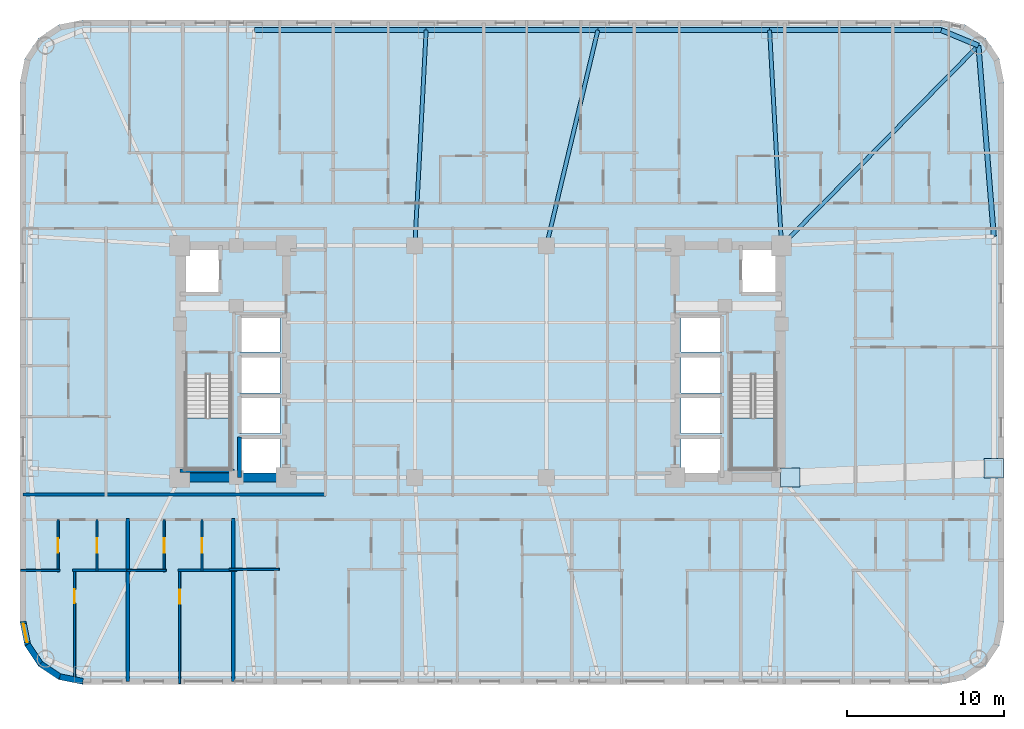
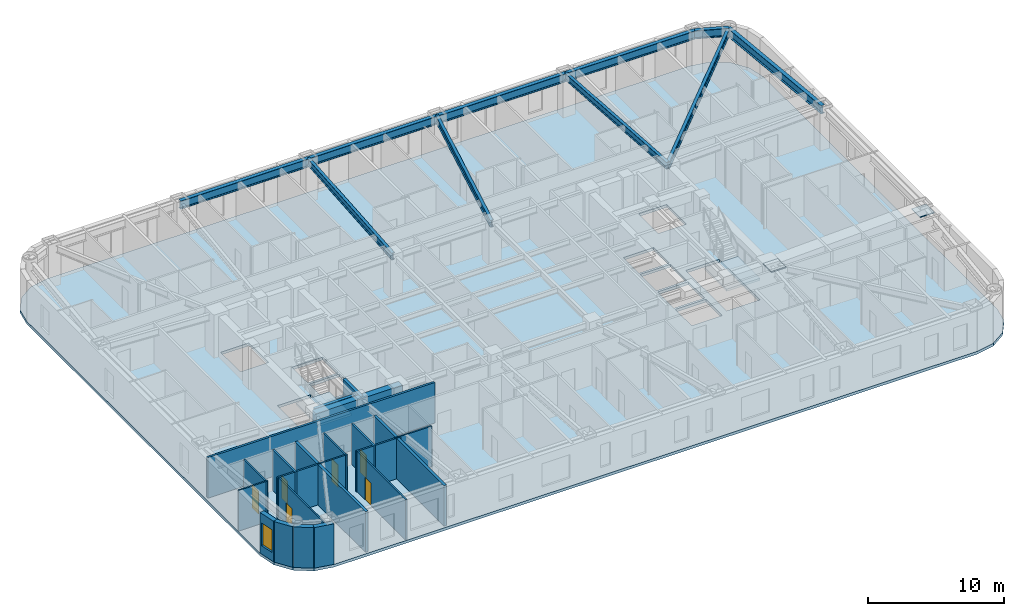
# One storey, part 2 of 11: 21 walls, 10 beams, 6 doors, 3 slabs, 2 plates, 1 window, 7 openings, 2 elements without a shape of their own.
"""IFC4 building model written with IfcOpenShell, lengths in metres."""

from ifc_helpers import new_model, si_unit, direction, frame, frame_2d, origin, origin_2d, place, context, subcontext, project, spatial, polyline, rectangle, i_section, outline, extrude, material, layer, layer_set, material_profile, profile_set, type_object, element, fill, aggregate, save


model = new_model("IFC4")

# Units and contexts
model_context = context("Model", 3, precision=1e-05, world=origin(), true_north=direction((0.0, 1.0)))
body_context = subcontext(model_context, "Body", "Model", "MODEL_VIEW")
ifc_project = project(units=[si_unit("LENGTHUNIT", "METRE"), si_unit("AREAUNIT", "SQUARE_METRE"), si_unit("VOLUMEUNIT", "CUBIC_METRE"), si_unit("PLANEANGLEUNIT", "RADIAN"), si_unit("MASSUNIT", "GRAM", prefix="KILO")], contexts=[model_context])

# Site, building, storey
site_placement = place(None, origin())
site = spatial("IfcSite", under=ifc_project, at=site_placement, CompositionType="ELEMENT")
building_placement = place(site_placement, origin())
building = spatial("IfcBuilding", under=site, at=building_placement, Name="Voryun Gate Residences", CompositionType="ELEMENT")
storey_placement = place(building_placement, frame((0.0, 0.0, 105.300048828125)))
storey = spatial("IfcBuildingStorey", under=building, at=storey_placement, Name="L25", CompositionType="ELEMENT", Elevation=105.300048828125)

# Beams
ifc_material_1 = material(Name="Steel SM355", Category="steel")
ifc_material_profile_1 = material_profile(ifc_material_1, i_section(OverallWidth=0.320068359375, OverallDepth=0.75, WebThickness=0.01611328125, FlangeThickness=0.028076171875, FilletRadius=0.01806640625, at=origin_2d()), Name="H-750x320x16x28")
ifc_profile_set_1 = profile_set([ifc_material_profile_1], Name="Steel SM355")
beam_type_1 = type_object("IfcBeamType", Name="BM_EXO_SPANDREL_L", PredefinedType="SPANDREL", material=ifc_profile_set_1)
beam_1_placement = place(storey_placement, frame((32.75, 7.998046875, 3.27490234375), z_axis=(-0.080359517973, 0.996765944378, 0.0), x_axis=(-0.996765944378, -0.080359517973, 0.0)))
element("IfcBeam", 1, at=beam_1_placement, inside=storey, type_object=beam_type_1, Name="BM-L25-SPAND-09", PredefinedType="SPANDREL", context=body_context, shape_type="SweptSolid", body=[
    extrude(i_section(OverallWidth=0.320068359375, OverallDepth=0.75, WebThickness=0.01611328125, FlangeThickness=0.028076171875, FilletRadius=0.01806640625, at=origin_2d()), origin(), (0.0, 0.0, 1.0), 12.210205078125),
])
beam_2_placement = place(storey_placement, frame((31.768798828125, 20.168701171875, 3.27490234375), z_axis=(-0.923883376753, 0.382674151414, 0.0), x_axis=(-0.382674151414, -0.923883376753, 0.0)))
element("IfcBeam", 2, at=beam_2_placement, inside=storey, type_object=beam_type_1, Name="BM-L25-SPAND-10", PredefinedType="SPANDREL", context=body_context, shape_type="SweptSolid", body=[
    extrude(i_section(OverallWidth=0.320068359375, OverallDepth=0.75, WebThickness=0.01611328125, FlangeThickness=0.028076171875, FilletRadius=0.01806640625, at=origin_2d()), origin(), (0.0, 0.0, 1.0), 2.56396484375),
])
for number, where, z_axis, x_axis, name in (
    (3, (29.39990234375, 21.14990234375, 3.27490234375), (-1.0, 0.0, 0.0), (0.0, -1.0, 0.0), "BM-L25-SPAND-11"),
    (4, (18.43994140625, 21.14990234375, 3.27490234375), (-1.0, 0.0, 0.0), (0.0, -1.0, 0.0), "BM-L25-SPAND-12"),
    (5, (7.47998046875, 21.14990234375, 3.27490234375), (-1.0, 0.0, 0.0), (0.0, -1.0, 0.0), "BM-L25-SPAND-13"),
    (6, (-3.47998046875, 21.14990234375, 3.27490234375), (-1.0, 0.0, 0.0), (0.0, -1.0, 0.0), "BM-L25-SPAND-14"),
):
    element("IfcBeam", number, at=place(storey_placement, frame(where, z_axis=z_axis, x_axis=x_axis)), inside=storey, type_object=beam_type_1, Name=name, PredefinedType="SPANDREL", context=body_context, shape_type="SweptSolid", body=[
        extrude(i_section(OverallWidth=0.320068359375, OverallDepth=0.75, WebThickness=0.01611328125, FlangeThickness=0.028076171875, FilletRadius=0.01806640625, at=origin_2d()), origin(), (0.0, 0.0, 1.0), 10.9599609375),
    ])
ifc_material_2 = material(Name="Steel SM355", Category="steel")
ifc_material_profile_2 = material_profile(ifc_material_2, i_section(OverallWidth=0.25, OverallDepth=0.60009765625, WebThickness=0.011962890625, FlangeThickness=0.02197265625, FilletRadius=0.01806640625, at=origin_2d()), Name="H-600x250x12x22")
ifc_profile_set_2 = profile_set([ifc_material_profile_2], Name="Steel SM355")
beam_type_2 = type_object("IfcBeamType", Name="BM_GIRD_600", PredefinedType="USERDEFINED", material=ifc_profile_set_2)
beam_3_placement = place(storey_placement, frame((19.199951171875, 7.39990234375, 3.349853515625), z_axis=(0.701504829324, 0.712664699866, 0.0), x_axis=(-0.712664699866, 0.701504829324, 0.0)))
element("IfcBeam", 7, at=beam_3_placement, inside=storey, type_object=beam_type_2, Name="BM-L25-RAD-CNE", ObjectType="GIRDER", PredefinedType="USERDEFINED", context=body_context, shape_type="SweptSolid", body=[
    extrude(i_section(OverallWidth=0.25, OverallDepth=0.60009765625, WebThickness=0.011962890625, FlangeThickness=0.02197265625, FilletRadius=0.01806640625, at=origin_2d()), origin(), (0.0, 0.0, 1.0), 17.9169921875),
])
beam_4_placement = place(storey_placement, frame((19.199951171875, 7.39990234375, 3.349853515625), z_axis=(-0.055189196078, 0.9984759149, 0.0), x_axis=(-0.9984759149, -0.055189196078, 0.0)))
element("IfcBeam", 8, at=beam_4_placement, inside=storey, type_object=beam_type_2, Name="BM-L25-RAD-N2", ObjectType="GIRDER", PredefinedType="USERDEFINED", context=body_context, shape_type="SweptSolid", body=[
    extrude(i_section(OverallWidth=0.25, OverallDepth=0.60009765625, WebThickness=0.011962890625, FlangeThickness=0.02197265625, FilletRadius=0.01806640625, at=origin_2d()), origin(), (0.0, 0.0, 1.0), 13.77099609375),
])
beam_5_placement = place(storey_placement, frame((4.199951171875, 7.39990234375, 3.349853515625), z_axis=(0.232036902087, 0.972706983665, 0.0), x_axis=(-0.972706983665, 0.232036902087, 0.0)))
element("IfcBeam", 9, at=beam_5_placement, inside=storey, type_object=beam_type_2, Name="BM-L25-RAD-N3", ObjectType="GIRDER", PredefinedType="USERDEFINED", context=body_context, shape_type="SweptSolid", body=[
    extrude(i_section(OverallWidth=0.25, OverallDepth=0.60009765625, WebThickness=0.011962890625, FlangeThickness=0.02197265625, FilletRadius=0.01806640625, at=origin_2d()), origin(), (0.0, 0.0, 1.0), 14.1357421875),
])
beam_6_placement = place(storey_placement, frame((-4.199951171875, 7.39990234375, 3.349853515625), z_axis=(0.052289872463, 0.998631948837, 0.0), x_axis=(-0.998631948837, 0.052289872463, 0.0)))
element("IfcBeam", 10, at=beam_6_placement, inside=storey, type_object=beam_type_2, Name="BM-L25-RAD-N4", ObjectType="GIRDER", PredefinedType="USERDEFINED", context=body_context, shape_type="SweptSolid", body=[
    extrude(i_section(OverallWidth=0.25, OverallDepth=0.60009765625, WebThickness=0.011962890625, FlangeThickness=0.02197265625, FilletRadius=0.01806640625, at=origin_2d()), origin(), (0.0, 0.0, 1.0), 13.768798828125),
])

# Plates
ifc_material_3 = material(Name="Steel SM355", Category="steel")
ifc_layer_1 = layer(ifc_material_3, 0.02490234375, Name="PLT_END_CAP_25")
ifc_layer_set_1 = layer_set([ifc_layer_1], Name="Steel SM355")
plate_type = type_object("IfcPlateType", Name="PLT_END_CAP_25", PredefinedType="USERDEFINED", material=ifc_layer_set_1)
for number, where, z_axis, x_axis, name in (
    (11, (19.75, -7.39990234375, 3.059814453125), (0.0, 0.0, 1.0), (1.0, 0.0, 0.0), "L25 Hollow Member End-Cap Plate EC-376"),
    (12, (32.75, -6.798095703125, 3.059814453125), (0.0, 0.0, 1.0), (1.0, 0.0, 0.0), "L25 Hollow Member End-Cap Plate EC-377"),
):
    element("IfcPlate", number, at=place(storey_placement, frame(where, z_axis=z_axis, x_axis=x_axis)), inside=storey, type_object=plate_type, Name=name, ObjectType="BASE_PLATE", PredefinedType="USERDEFINED", context=body_context, shape_type="SweptSolid", body=[
        extrude(rectangle(XDim=1.239990234375, YDim=1.239990234375, at=origin_2d()), origin(), (0.0, 0.0, 1.0), 0.080078125),
    ])

# Slab
ifc_material_4 = material(Name="Concrete C40/50", Category="concrete")
ifc_layer_2 = layer(ifc_material_4, 0.25, Name="SLB_RES_250")
ifc_layer_set_2 = layer_set([ifc_layer_2], Name="Concrete C40/50")
slab_type_1 = type_object("IfcSlabType", Name="SLB_RES_250", PredefinedType="FLOOR", material=ifc_layer_set_2)
slab_1_placement = place(storey_placement, frame((0.0, 0.0, -0.25)))
element("IfcSlab", 13, at=slab_1_placement, inside=storey, type_object=slab_type_1, Name="L25 Structural Floor Slab", PredefinedType="FLOOR", context=body_context, shape_type="SweptSolid", body=[
    extrude(outline(polyline([(-25.39990234375, -20.60009765625), (-26.9306640625, -20.29541015625), (-28.228515625, -19.428466796875), (-29.095458984375, -18.130615234375), (-29.39990234375, -16.60009765625), (-29.39990234375, 17.800048828125), (-29.095458984375, 19.330810546875), (-28.228515625, 20.62841796875), (-26.9306640625, 21.49560546875), (-25.39990234375, 21.800048828125), (29.39990234375, 21.800048828125), (30.9306640625, 21.49560546875), (32.228515625, 20.62841796875), (33.095458984375, 19.330810546875), (33.39990234375, 17.800048828125), (33.39990234375, -16.60009765625), (33.095458984375, -18.130615234375), (32.228515625, -19.428466796875), (30.9306640625, -20.29541015625), (29.39990234375, -20.60009765625), (-25.39990234375, -20.60009765625)]), holes=[polyline([(-12.800048828125, -4.800048828125), (-15.39990234375, -4.800048828125), (-15.39990234375, -7.199951171875), (-12.800048828125, -7.199951171875), (-12.800048828125, -4.800048828125)]), polyline([(-18.824951171875, -6.85009765625), (-15.97509765625, -6.85009765625), (-15.97509765625, -0.840087890625), (-18.824951171875, -0.840087890625), (-18.824951171875, -6.85009765625)]), polyline([(-12.800048828125, -4.60009765625), (-12.800048828125, -2.199951171875), (-15.39990234375, -2.199951171875), (-15.39990234375, -4.60009765625), (-12.800048828125, -4.60009765625)]), polyline([(-12.800048828125, 0.39990234375), (-15.39990234375, 0.39990234375), (-15.39990234375, -2.0), (-12.800048828125, -2.0), (-12.800048828125, 0.39990234375)]), polyline([(-12.800048828125, 0.60009765625), (-12.800048828125, 2.89990234375), (-15.39990234375, 2.89990234375), (-15.39990234375, 0.60009765625), (-12.800048828125, 0.60009765625)]), polyline([(-16.60009765625, 4.300048828125), (-16.60009765625, 7.199951171875), (-19.0, 7.199951171875), (-19.0, 4.300048828125), (-16.60009765625, 4.300048828125)]), polyline([(15.39990234375, -4.800048828125), (12.800048828125, -4.800048828125), (12.800048828125, -7.199951171875), (15.39990234375, -7.199951171875), (15.39990234375, -4.800048828125)]), polyline([(15.97509765625, -6.85009765625), (18.824951171875, -6.85009765625), (18.824951171875, -0.840087890625), (15.97509765625, -0.840087890625), (15.97509765625, -6.85009765625)]), polyline([(15.39990234375, -4.60009765625), (15.39990234375, -2.199951171875), (12.800048828125, -2.199951171875), (12.800048828125, -4.60009765625), (15.39990234375, -4.60009765625)]), polyline([(15.39990234375, 0.39990234375), (12.800048828125, 0.39990234375), (12.800048828125, -2.0), (15.39990234375, -2.0), (15.39990234375, 0.39990234375)]), polyline([(15.39990234375, 0.60009765625), (15.39990234375, 2.89990234375), (12.800048828125, 2.89990234375), (12.800048828125, 0.60009765625), (15.39990234375, 0.60009765625)]), polyline([(19.0, 4.300048828125), (19.0, 7.199951171875), (16.60009765625, 7.199951171875), (16.60009765625, 4.300048828125), (19.0, 4.300048828125)])]), origin(), (0.0, 0.0, 1.0), 0.25),
])

# Stair, slab
ifc_material_5 = material(Name="Concrete C40/50", Category="concrete")
stair_type = type_object("IfcStairType", Name="STR_CORE_DOGLEG_1350", PredefinedType="HALF_TURN_STAIR", material=ifc_material_5)
stair_1_placement = place(storey_placement, origin())
stair_1 = element("IfcStair", 14, at=stair_1_placement, inside=storey, type_object=stair_type, Name="L25 Special Escape Stair ST-W1", PredefinedType="HALF_TURN_STAIR")
ifc_material_6 = material(Name="Concrete C40/50", Category="concrete")
ifc_layer_3 = layer(ifc_material_6, 0.199951171875, Name="SLB_STAIR_LANDING_200")
ifc_layer_set_3 = layer_set([ifc_layer_3], Name="Concrete C40/50")
slab_type_2 = type_object("IfcSlabType", Name="SLB_STAIR_LANDING_200", PredefinedType="LANDING", material=ifc_layer_set_3)
slab_2_placement = place(storey_placement, frame((0.0, 0.0, 1.75)))
slab_2 = element("IfcSlab", 15, at=slab_2_placement, type_object=slab_type_2, Name="ST-W1 landing 1", PredefinedType="LANDING", context=body_context, shape_type="SweptSolid", body=[
    extrude(outline(polyline([(-18.824951171875, -3.60009765625), (-18.824951171875, -6.85009765625), (-15.97509765625, -6.85009765625), (-15.97509765625, -3.60009765625), (-18.824951171875, -3.60009765625)])), origin(), (0.0, 0.0, 1.0), 0.199951171875),
])
aggregate(stair_1, [slab_2])

stair_2_placement = place(storey_placement, origin())
stair_2 = element("IfcStair", 16, at=stair_2_placement, inside=storey, type_object=stair_type, Name="L25 Special Escape Stair ST-E1", PredefinedType="HALF_TURN_STAIR")
slab_3_placement = place(storey_placement, frame((0.0, 0.0, 1.75)))
slab_3 = element("IfcSlab", 17, at=slab_3_placement, type_object=slab_type_2, Name="ST-E1 landing 1", PredefinedType="LANDING", context=body_context, shape_type="SweptSolid", body=[
    extrude(outline(polyline([(15.97509765625, -3.60009765625), (15.97509765625, -6.85009765625), (18.824951171875, -6.85009765625), (18.824951171875, -3.60009765625), (15.97509765625, -3.60009765625)])), origin(), (0.0, 0.0, 1.0), 0.199951171875),
])
aggregate(stair_2, [slab_3])

# Walls
ifc_material_7 = material(Name="Concrete C60/75", Category="concrete")
ifc_layer_4 = layer(ifc_material_7, 0.550048828125, Name="CW_CORE_550")
ifc_layer_set_4 = layer_set([ifc_layer_4], Name="Concrete C60/75")
wall_type_1 = type_object("IfcWallType", Name="CW_CORE_550", PredefinedType="SHEAR", material=ifc_layer_set_4)
wall_1_placement = place(storey_placement, frame((-19.47509765625, -7.39990234375, 0.0), z_axis=(0.0, 0.0, 1.0), x_axis=(1.0, 0.0, 0.0)))
element("IfcWall", 18, at=wall_1_placement, inside=storey, type_object=wall_type_1, Name="L25 Core shear wall CW-L25-WS", PredefinedType="SHEAR", context=body_context, shape_type="SweptSolid", body=[
    extrude(rectangle(XDim=7.35009765625, YDim=0.550048828125, at=frame_2d((3.675048828125, 0.0))), origin(), (0.0, 0.0, 1.0), 3.64990234375),
])
ifc_material_8 = material(Name="Gypsum acoustic fireboard")
ifc_layer_5 = layer(ifc_material_8, 0.179931640625, Name="W_CORR_RATED_180")
ifc_layer_set_5 = layer_set([ifc_layer_5], Name="Gypsum acoustic fireboard")
wall_type_2 = type_object("IfcWallType", Name="W_CORR_RATED_180", PredefinedType="PARTITIONING", material=ifc_layer_set_5)
wall_2_placement = place(storey_placement, frame((-29.2099609375, -8.489990234375, 0.0), z_axis=(0.0, 0.0, 1.0), x_axis=(1.0, 0.0, 0.0)))
element("IfcWall", 19, at=wall_2_placement, inside=storey, type_object=wall_type_2, Name="Partition wall WP-L25-CWING-WS", PredefinedType="PARTITIONING", context=body_context, shape_type="SweptSolid", body=[
    extrude(rectangle(XDim=19.330078125, YDim=0.179931640625, at=frame_2d((9.6650390625, 0.0))), origin(), (0.0, 0.0, 1.0), 3.64990234375),
])
ifc_material_9 = material(Name="Granite masonry", Category="masonry")
ifc_layer_6 = layer(ifc_material_9, 0.3798828125, Name="W_EXT_GRANITE_380")
ifc_layer_set_6 = layer_set([ifc_layer_6], Name="Granite masonry")
wall_type_3 = type_object("IfcWallType", Name="W_EXT_GRANITE_380", PredefinedType="ELEMENTEDWALL", material=ifc_layer_set_6)
wall_3_placement = place(storey_placement, frame((-25.38134765625, -20.409912109375, 0.0), z_axis=(0.0, 0.0, 1.0), x_axis=(-0.980786132421, 0.195086038585, 0.0)))
element("IfcWall", 20, at=wall_3_placement, inside=storey, type_object=wall_type_3, Name="Exterior wall WEXT-L25-02", PredefinedType="ELEMENTEDWALL", context=body_context, shape_type="SweptSolid", body=[
    extrude(rectangle(XDim=1.504150390625, YDim=0.3798828125, at=frame_2d((0.751953125, 0.0))), origin(), (0.0, 0.0, 1.0), 3.64990234375),
])
wall_4_placement = place(storey_placement, frame((-26.856689453125, -20.116455078125, 0.0), z_axis=(0.0, 0.0, 1.0), x_axis=(-0.831468045563, 0.555572577804, 0.0)))
element("IfcWall", 21, at=wall_4_placement, inside=storey, type_object=wall_type_3, Name="Exterior wall WEXT-L25-03", PredefinedType="ELEMENTEDWALL", context=body_context, shape_type="SweptSolid", body=[
    extrude(rectangle(XDim=1.48486328125, YDim=0.3798828125, at=frame_2d((0.742431640625, 0.0))), origin(), (0.0, 0.0, 1.0), 3.64990234375),
])
wall_5_placement = place(storey_placement, frame((-28.09130859375, -19.29150390625, 0.0), z_axis=(0.0, 0.0, 1.0), x_axis=(-0.555610286119, 0.831442848281, 0.0)))
element("IfcWall", 22, at=wall_5_placement, inside=storey, type_object=wall_type_3, Name="Exterior wall WEXT-L25-04", PredefinedType="ELEMENTEDWALL", context=body_context, shape_type="SweptSolid", body=[
    extrude(rectangle(XDim=1.485107421875, YDim=0.3798828125, at=frame_2d((0.74267578125, 0.0))), origin(), (0.0, 0.0, 1.0), 3.64990234375),
])

# Wall, opening, window
wall_6_placement = place(storey_placement, frame((-28.91650390625, -18.056640625, 0.0), z_axis=(0.0, 0.0, 1.0), x_axis=(-0.195086038585, 0.980786132421, 0.0)))
wall_6 = element("IfcWall", 23, at=wall_6_placement, inside=storey, type_object=wall_type_3, Name="Exterior wall WEXT-L25-05", PredefinedType="ELEMENTEDWALL", context=body_context, shape_type="SweptSolid", body=[
    extrude(rectangle(XDim=1.504150390625, YDim=0.3798828125, at=frame_2d((0.751953125, 0.0))), origin(), (0.0, 0.0, 1.0), 3.64990234375),
])
opening_1_placement = place(wall_6_placement, frame((0.152099609375, 0.0, 0.75)))
opening_1 = element("IfcOpeningElement", 24, at=opening_1_placement, cuts=wall_6, Name="Opening WN6", PredefinedType="OPENING", context=body_context, shape_type="SweptSolid", body=[
    extrude(rectangle(XDim=1.199951171875, YDim=2.050048828125, at=frame_2d((0.60009765625, 1.02490234375))), frame((0.0, 0.199951171875, 0.0), z_axis=(0.0, -1.0, 0.0), x_axis=(1.0, 0.0, 0.0)), (0.0, 0.0, 1.0), 0.39990234375),
])
ifc_material_10 = material(Name="Laminated low-E glass", Category="glass")
window_type = type_object("IfcWindowType", Name="WN_POD_SLOT_1200", PartitioningType="SINGLE_PANEL", PredefinedType="WINDOW", material=ifc_material_10)
window_placement = place(opening_1_placement, origin())
window = element("IfcWindow", 25, at=window_placement, inside=storey, type_object=window_type, Name="Window WN-L25-DWFIX-16", OverallHeight=2.050048828125, OverallWidth=1.199951171875, PartitioningType="SINGLE_PANEL", PredefinedType="WINDOW", context=body_context, shape_type="SweptSolid", body=[
    extrude(rectangle(XDim=1.199951171875, YDim=2.050048828125, at=frame_2d((0.60009765625, 1.02490234375))), frame((0.0, 0.030029296875, 0.0), z_axis=(0.0, -1.0, 0.0), x_axis=(1.0, 0.0, 0.0)), (0.0, 0.0, 1.0), 0.06005859375),
])
fill(opening_1, window)

# Walls
ifc_material_11 = material(Name="Concrete C40/50", Category="concrete")
ifc_layer_7 = layer(ifc_material_11, 0.219970703125, Name="W_PARTY_ACOUSTIC_220")
ifc_layer_set_7 = layer_set([ifc_layer_7], Name="Concrete C40/50")
wall_type_4 = type_object("IfcWallType", Name="W_PARTY_ACOUSTIC_220", PredefinedType="PARTITIONING", material=ifc_layer_set_7)
for number, where, z_axis, x_axis, name in (
    (26, (-22.509033203125, -20.409912109375, 0.0), (0.0, 0.0, 1.0), (0.0, 1.0, 0.0), "Partition wall WP-L25-SPTY-1"),
    (27, (-15.800048828125, -20.409912109375, 0.0), (0.0, 0.0, 1.0), (0.0, 1.0, 0.0), "Partition wall WP-L25-SPTY-2"),
):
    element("IfcWall", number, at=place(storey_placement, frame(where, z_axis=z_axis, x_axis=x_axis)), inside=storey, type_object=wall_type_4, Name=name, PredefinedType="PARTITIONING", context=body_context, shape_type="SweptSolid", body=[
        extrude(rectangle(XDim=10.389892578125, YDim=0.219970703125, at=frame_2d((5.19482421875, 0.0))), origin(), (0.0, 0.0, 1.0), 3.64990234375),
    ])
ifc_material_12 = material(Name="Concrete C50/60", Category="concrete")
ifc_layer_8 = layer(ifc_material_12, 0.25, Name="W_SHAFT_RC250")
ifc_layer_set_8 = layer_set([ifc_layer_8], Name="Concrete C50/60")
wall_type_5 = type_object("IfcWallType", Name="W_SHAFT_RC250", PredefinedType="SOLIDWALL", material=ifc_layer_set_8)
wall_7_placement = place(storey_placement, frame((-19.199951171875, -6.965087890625, 0.0), z_axis=(0.0, 0.0, 1.0), x_axis=(1.0, 0.0, 0.0)))
element("IfcWall", 28, at=wall_7_placement, inside=storey, type_object=wall_type_5, Name="L25 Stair shaft structural wall W-STS", PredefinedType="SOLIDWALL", context=body_context, shape_type="SweptSolid", body=[
    extrude(rectangle(XDim=3.4599609375, YDim=0.25, at=frame_2d((1.72998046875, 0.0))), origin(), (0.0, 0.0, 1.0), 3.64990234375),
])
wall_8_placement = place(storey_placement, frame((-15.39990234375, -4.800048828125, 0.0), z_axis=(0.0, 0.0, 1.0), x_axis=(0.0, -1.0, 0.0)))
element("IfcWall", 29, at=wall_8_placement, inside=storey, type_object=wall_type_5, Name="Lift shaft wall WSH-L25-EL-P1-W", PredefinedType="SOLIDWALL", context=body_context, shape_type="SweptSolid", body=[
    extrude(rectangle(XDim=2.599853515625, YDim=0.25, at=frame_2d((1.2998046875, 0.0))), origin(), (0.0, 0.0, 1.0), 3.64990234375),
])

# Wall, opening, door
ifc_material_13 = material(Name="Gypsum acoustic partition")
ifc_layer_9 = layer(ifc_material_13, 0.125, Name="W_UNIT_PART_125")
ifc_layer_set_9 = layer_set([ifc_layer_9], Name="Gypsum acoustic partition")
wall_type_6 = type_object("IfcWallType", Name="W_UNIT_PART_125", PredefinedType="PARTITIONING", material=ifc_layer_set_9)
wall_9_placement = place(storey_placement, frame((-25.9189453125, -20.4560546875, 0.0), z_axis=(0.0, 0.0, 1.0), x_axis=(0.0, 1.0, 0.0)))
wall_9 = element("IfcWall", 30, at=wall_9_placement, inside=storey, type_object=wall_type_6, Name="Partition wall WP-L25-S1-OVR", PredefinedType="PARTITIONING", context=body_context, shape_type="SweptSolid", body=[
    extrude(rectangle(XDim=7.216064453125, YDim=0.125, at=frame_2d((3.60791015625, 0.0))), origin(), (0.0, 0.0, 1.0), 3.64990234375),
])
opening_2_placement = place(wall_9_placement, frame((5.0341796875, 0.0, 0.0)))
opening_2 = element("IfcOpeningElement", 31, at=opening_2_placement, cuts=wall_9, Name="Opening D-INT-2", PredefinedType="OPENING", context=body_context, shape_type="SweptSolid", body=[
    extrude(rectangle(XDim=0.89990234375, YDim=2.050048828125, at=frame_2d((0.449951171875, 1.02490234375))), frame((0.0, 0.072509765625, 0.0), z_axis=(0.0, -1.0, 0.0), x_axis=(1.0, 0.0, 0.0)), (0.0, 0.0, 1.0), 0.14501953125),
])
ifc_material_14 = material(Name="Architectural oak veneer")
door_type_1 = type_object("IfcDoorType", Name="DR_INT_BATH_900", OperationType="NOTDEFINED", PredefinedType="DOOR", material=ifc_material_14)
door_1_placement = place(opening_2_placement, origin())
door_1 = element("IfcDoor", 32, at=door_1_placement, inside=storey, type_object=door_type_1, Name="Door DR-L25-S1-DMB", OperationType="SINGLE_SWING_RIGHT", OverallHeight=2.050048828125, OverallWidth=0.89990234375, PredefinedType="DOOR", context=body_context, shape_type="SweptSolid", body=[
    extrude(rectangle(XDim=0.89990234375, YDim=2.050048828125, at=frame_2d((0.449951171875, 1.02490234375))), frame((0.0, 0.02490234375, 0.0), z_axis=(0.0, -1.0, 0.0), x_axis=(1.0, 0.0, 0.0)), (0.0, 0.0, 1.0), 0.050048828125),
])
fill(opening_2, door_1)

wall_10_placement = place(storey_placement, frame((-26.968017578125, -13.39990234375, 0.0), z_axis=(0.0, 0.0, 1.0), x_axis=(0.0, 1.0, 0.0)))
wall_10 = element("IfcWall", 33, at=wall_10_placement, inside=storey, type_object=wall_type_6, Name="Partition wall WP-L25-S1-IVK", PredefinedType="PARTITIONING", context=body_context, shape_type="SweptSolid", body=[
    extrude(rectangle(XDim=3.31982421875, YDim=0.125, at=frame_2d((1.659912109375, 0.0))), origin(), (0.0, 0.0, 1.0), 3.64990234375),
])
opening_3_placement = place(wall_10_placement, frame((1.18505859375, 0.0, 0.0)))
opening_3 = element("IfcOpeningElement", 34, at=opening_3_placement, cuts=wall_10, Name="Opening D-INT-1", PredefinedType="OPENING", context=body_context, shape_type="SweptSolid", body=[
    extrude(rectangle(XDim=0.949951171875, YDim=2.050048828125, at=frame_2d((0.47509765625, 1.02490234375))), frame((0.0, 0.072509765625, 0.0), z_axis=(0.0, -1.0, 0.0), x_axis=(1.0, 0.0, 0.0)), (0.0, 0.0, 1.0), 0.14501953125),
])
ifc_material_15 = material(Name="Architectural oak veneer")
door_type_2 = type_object("IfcDoorType", Name="DR_INT_ROOM_950", OperationType="NOTDEFINED", PredefinedType="DOOR", material=ifc_material_15)
door_2_placement = place(opening_3_placement, origin())
door_2 = element("IfcDoor", 35, at=door_2_placement, inside=storey, type_object=door_type_2, Name="Door DR-L25-S1-DK", OperationType="SINGLE_SWING_LEFT", OverallHeight=2.050048828125, OverallWidth=0.949951171875, PredefinedType="DOOR", context=body_context, shape_type="SweptSolid", body=[
    extrude(rectangle(XDim=0.949951171875, YDim=2.050048828125, at=frame_2d((0.47509765625, 1.02490234375))), frame((0.0, 0.02490234375, 0.0), z_axis=(0.0, -1.0, 0.0), x_axis=(1.0, 0.0, 0.0)), (0.0, 0.0, 1.0), 0.050048828125),
])
fill(opening_3, door_2)

# Wall
wall_11_placement = place(storey_placement, frame((-29.360107421875, -13.320068359375, 0.0), z_axis=(0.0, 0.0, 1.0), x_axis=(1.0, 0.0, 0.0)))
element("IfcWall", 36, at=wall_11_placement, inside=storey, type_object=wall_type_6, Name="Partition wall WP-L25-S1-HZK", PredefinedType="PARTITIONING", context=body_context, shape_type="SweptSolid", body=[
    extrude(rectangle(XDim=2.51220703125, YDim=0.125, at=frame_2d((1.256103515625, 0.0))), origin(), (0.0, 0.0, 1.0), 3.64990234375),
])

# Wall, opening, door
wall_12_placement = place(storey_placement, frame((-19.2099609375, -20.56005859375, 0.0), z_axis=(0.0, 0.0, 1.0), x_axis=(0.0, 1.0, 0.0)))
wall_12 = element("IfcWall", 37, at=wall_12_placement, inside=storey, type_object=wall_type_6, Name="Partition wall WP-L25-S2-OVR", PredefinedType="PARTITIONING", context=body_context, shape_type="SweptSolid", body=[
    extrude(rectangle(XDim=7.320068359375, YDim=0.125, at=frame_2d((3.66015625, 0.0))), origin(), (0.0, 0.0, 1.0), 3.64990234375),
])
opening_4_placement = place(wall_12_placement, frame((5.11328125, 0.0, 0.0)))
opening_4 = element("IfcOpeningElement", 38, at=opening_4_placement, cuts=wall_12, Name="Opening D-INT-2", PredefinedType="OPENING", context=body_context, shape_type="SweptSolid", body=[
    extrude(rectangle(XDim=0.89990234375, YDim=2.050048828125, at=frame_2d((0.449951171875, 1.02490234375))), frame((0.0, 0.072509765625, 0.0), z_axis=(0.0, -1.0, 0.0), x_axis=(1.0, 0.0, 0.0)), (0.0, 0.0, 1.0), 0.14501953125),
])
door_3_placement = place(opening_4_placement, origin())
door_3 = element("IfcDoor", 39, at=door_3_placement, inside=storey, type_object=door_type_1, Name="Door DR-L25-S2-DMB", OperationType="SINGLE_SWING_RIGHT", OverallHeight=2.050048828125, OverallWidth=0.89990234375, PredefinedType="DOOR", context=body_context, shape_type="SweptSolid", body=[
    extrude(rectangle(XDim=0.89990234375, YDim=2.050048828125, at=frame_2d((0.449951171875, 1.02490234375))), frame((0.0, 0.02490234375, 0.0), z_axis=(0.0, -1.0, 0.0), x_axis=(1.0, 0.0, 0.0)), (0.0, 0.0, 1.0), 0.050048828125),
])
fill(opening_4, door_3)

wall_13_placement = place(storey_placement, frame((-20.198974609375, -13.39990234375, 0.0), z_axis=(0.0, 0.0, 1.0), x_axis=(0.0, 1.0, 0.0)))
wall_13 = element("IfcWall", 40, at=wall_13_placement, inside=storey, type_object=wall_type_6, Name="Partition wall WP-L25-S2-IVK", PredefinedType="PARTITIONING", context=body_context, shape_type="SweptSolid", body=[
    extrude(rectangle(XDim=3.31982421875, YDim=0.125, at=frame_2d((1.659912109375, 0.0))), origin(), (0.0, 0.0, 1.0), 3.64990234375),
])
opening_5_placement = place(wall_13_placement, frame((1.18505859375, 0.0, 0.0)))
opening_5 = element("IfcOpeningElement", 41, at=opening_5_placement, cuts=wall_13, Name="Opening D-INT-1", PredefinedType="OPENING", context=body_context, shape_type="SweptSolid", body=[
    extrude(rectangle(XDim=0.949951171875, YDim=2.050048828125, at=frame_2d((0.47509765625, 1.02490234375))), frame((0.0, 0.072509765625, 0.0), z_axis=(0.0, -1.0, 0.0), x_axis=(1.0, 0.0, 0.0)), (0.0, 0.0, 1.0), 0.14501953125),
])
door_4_placement = place(opening_5_placement, origin())
door_4 = element("IfcDoor", 42, at=door_4_placement, inside=storey, type_object=door_type_2, Name="Door DR-L25-S2-DK", OperationType="SINGLE_SWING_LEFT", OverallHeight=2.050048828125, OverallWidth=0.949951171875, PredefinedType="DOOR", context=body_context, shape_type="SweptSolid", body=[
    extrude(rectangle(XDim=0.949951171875, YDim=2.050048828125, at=frame_2d((0.47509765625, 1.02490234375))), frame((0.0, 0.02490234375, 0.0), z_axis=(0.0, -1.0, 0.0), x_axis=(1.0, 0.0, 0.0)), (0.0, 0.0, 1.0), 0.050048828125),
])
fill(opening_5, door_4)

# Walls
wall_14_placement = place(storey_placement, frame((-22.583984375, -13.320068359375, 0.0), z_axis=(0.0, 0.0, 1.0), x_axis=(1.0, 0.0, 0.0)))
element("IfcWall", 43, at=wall_14_placement, inside=storey, type_object=wall_type_6, Name="Partition wall WP-L25-S2-HZK", PredefinedType="PARTITIONING", context=body_context, shape_type="SweptSolid", body=[
    extrude(rectangle(XDim=2.5048828125, YDim=0.125, at=frame_2d((1.25244140625, 0.0))), origin(), (0.0, 0.0, 1.0), 3.64990234375),
])
wall_15_placement = place(storey_placement, frame((-16.06005859375, -13.260986328125, 0.0), z_axis=(0.0, 0.0, 1.0), x_axis=(1.0, 0.0, 0.0)))
element("IfcWall", 44, at=wall_15_placement, inside=storey, type_object=wall_type_6, Name="Partition wall WP-L25-S3-HZK", PredefinedType="PARTITIONING", context=body_context, shape_type="SweptSolid", body=[
    extrude(rectangle(XDim=3.195068359375, YDim=0.125, at=frame_2d((1.59765625, 0.0))), origin(), (0.0, 0.0, 1.0), 3.64990234375),
])
ifc_material_16 = material(Name="Gypsum moisture-resistant partition")
ifc_layer_10 = layer(ifc_material_16, 0.14990234375, Name="W_WET_PLUMB_150")
ifc_layer_set_10 = layer_set([ifc_layer_10], Name="Gypsum moisture-resistant partition")
wall_type_7 = type_object("IfcWallType", Name="W_WET_PLUMB_150", PredefinedType="PLUMBINGWALL", material=ifc_layer_set_10)
wall_16_placement = place(storey_placement, frame((-26.0390625, -13.320068359375, 0.0), z_axis=(0.0, 0.0, 1.0), x_axis=(1.0, 0.0, 0.0)))
element("IfcWall", 45, at=wall_16_placement, inside=storey, type_object=wall_type_7, Name="Partition wall WP-L25-S1-HZB", PredefinedType="PLUMBINGWALL", context=body_context, shape_type="SweptSolid", body=[
    extrude(rectangle(XDim=3.60498046875, YDim=0.14990234375, at=frame_2d((1.802490234375, 0.0))), origin(), (0.0, 0.0, 1.0), 3.64990234375),
])

# Wall, opening, door
wall_17_placement = place(storey_placement, frame((-24.489013671875, -13.39990234375, 0.0), z_axis=(0.0, 0.0, 1.0), x_axis=(0.0, 1.0, 0.0)))
wall_17 = element("IfcWall", 46, at=wall_17_placement, inside=storey, type_object=wall_type_7, Name="Partition wall WP-L25-S1-IVB", PredefinedType="PLUMBINGWALL", context=body_context, shape_type="SweptSolid", body=[
    extrude(rectangle(XDim=3.31982421875, YDim=0.14990234375, at=frame_2d((1.659912109375, 0.0))), origin(), (0.0, 0.0, 1.0), 3.64990234375),
])
opening_6_placement = place(wall_17_placement, frame((1.2099609375, 0.0, 0.0)))
opening_6 = element("IfcOpeningElement", 47, at=opening_6_placement, cuts=wall_17, Name="Opening D-INT-2", PredefinedType="OPENING", context=body_context, shape_type="SweptSolid", body=[
    extrude(rectangle(XDim=0.89990234375, YDim=2.050048828125, at=frame_2d((0.449951171875, 1.02490234375))), frame((0.0, 0.0849609375, 0.0), z_axis=(0.0, -1.0, 0.0), x_axis=(1.0, 0.0, 0.0)), (0.0, 0.0, 1.0), 0.169921875),
])
door_5_placement = place(opening_6_placement, origin())
door_5 = element("IfcDoor", 48, at=door_5_placement, inside=storey, type_object=door_type_1, Name="Door DR-L25-S1-DB", OperationType="SINGLE_SWING_RIGHT", OverallHeight=2.050048828125, OverallWidth=0.89990234375, PredefinedType="DOOR", context=body_context, shape_type="SweptSolid", body=[
    extrude(rectangle(XDim=0.89990234375, YDim=2.050048828125, at=frame_2d((0.449951171875, 1.02490234375))), frame((0.0, 0.02490234375, 0.0), z_axis=(0.0, -1.0, 0.0), x_axis=(1.0, 0.0, 0.0)), (0.0, 0.0, 1.0), 0.050048828125),
])
fill(opening_6, door_5)

# Wall
wall_18_placement = place(storey_placement, frame((-19.330078125, -13.320068359375, 0.0), z_axis=(0.0, 0.0, 1.0), x_axis=(1.0, 0.0, 0.0)))
element("IfcWall", 49, at=wall_18_placement, inside=storey, type_object=wall_type_7, Name="Partition wall WP-L25-S2-HZB", PredefinedType="PLUMBINGWALL", context=body_context, shape_type="SweptSolid", body=[
    extrude(rectangle(XDim=3.7900390625, YDim=0.14990234375, at=frame_2d((1.89501953125, 0.0))), origin(), (0.0, 0.0, 1.0), 3.64990234375),
])

# Wall, opening, door
wall_19_placement = place(storey_placement, frame((-17.780029296875, -13.39990234375, 0.0), z_axis=(0.0, 0.0, 1.0), x_axis=(0.0, 1.0, 0.0)))
wall_19 = element("IfcWall", 50, at=wall_19_placement, inside=storey, type_object=wall_type_7, Name="Partition wall WP-L25-S2-IVB", PredefinedType="PLUMBINGWALL", context=body_context, shape_type="SweptSolid", body=[
    extrude(rectangle(XDim=3.31982421875, YDim=0.14990234375, at=frame_2d((1.659912109375, 0.0))), origin(), (0.0, 0.0, 1.0), 3.64990234375),
])
opening_7_placement = place(wall_19_placement, frame((1.2099609375, 0.0, 0.0)))
opening_7 = element("IfcOpeningElement", 51, at=opening_7_placement, cuts=wall_19, Name="Opening D-INT-2", PredefinedType="OPENING", context=body_context, shape_type="SweptSolid", body=[
    extrude(rectangle(XDim=0.89990234375, YDim=2.050048828125, at=frame_2d((0.449951171875, 1.02490234375))), frame((0.0, 0.0849609375, 0.0), z_axis=(0.0, -1.0, 0.0), x_axis=(1.0, 0.0, 0.0)), (0.0, 0.0, 1.0), 0.169921875),
])
door_6_placement = place(opening_7_placement, origin())
door_6 = element("IfcDoor", 52, at=door_6_placement, inside=storey, type_object=door_type_1, Name="Door DR-L25-S2-DB", OperationType="SINGLE_SWING_RIGHT", OverallHeight=2.050048828125, OverallWidth=0.89990234375, PredefinedType="DOOR", context=body_context, shape_type="SweptSolid", body=[
    extrude(rectangle(XDim=0.89990234375, YDim=2.050048828125, at=frame_2d((0.449951171875, 1.02490234375))), frame((0.0, 0.02490234375, 0.0), z_axis=(0.0, -1.0, 0.0), x_axis=(1.0, 0.0, 0.0)), (0.0, 0.0, 1.0), 0.050048828125),
])
fill(opening_7, door_6)

save(model, "model.ifc")
